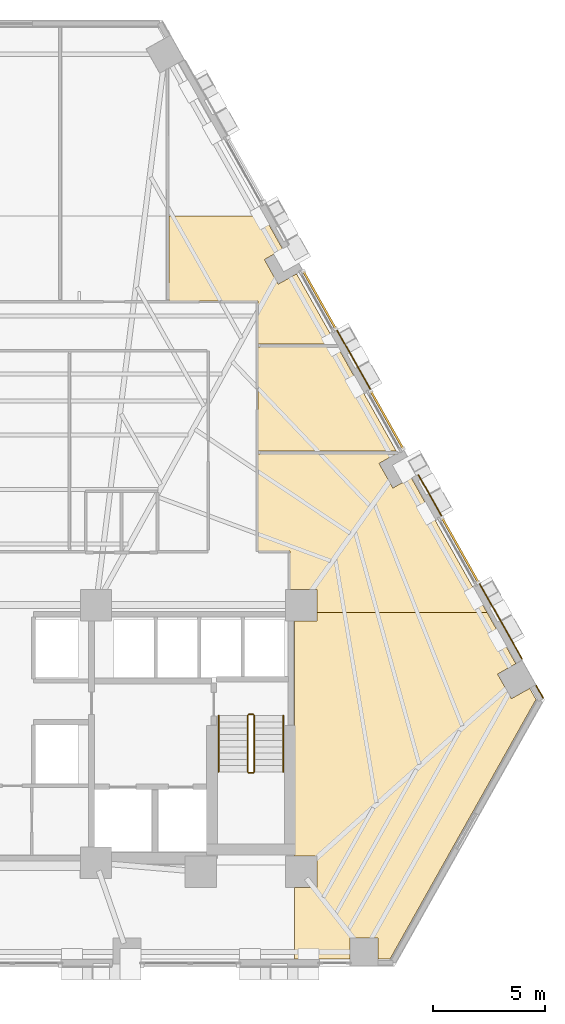
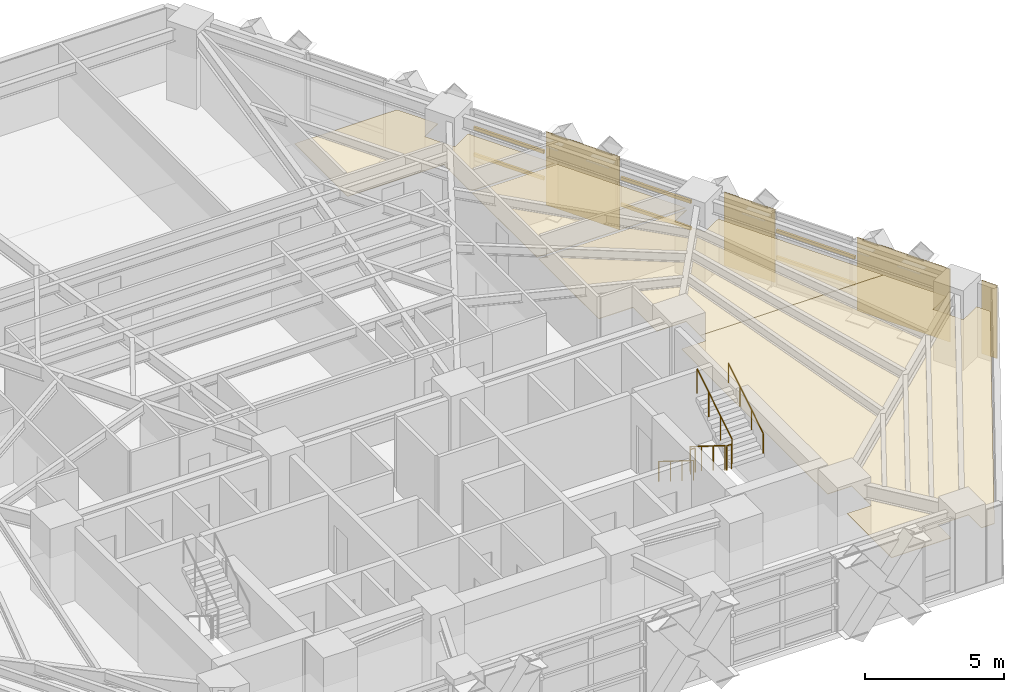
# One storey, part 12 of 13: 8 coverings, 6 railings, 6 shading devices.
"""IFC4 building model written with IfcOpenShell, lengths in metres."""

from ifc_helpers import new_model, si_unit, direction, frame, origin, origin_2d, place, context, subcontext, project, spatial, polyline, rectangle, circle, outline, extrude, material, layer, layer_set, material_profile, profile_set, type_object, element, save


model = new_model("IFC4")

# Units and contexts
model_context = context("Model", 3, precision=1e-05, world=origin(), true_north=direction((0.0, 1.0)))
body_context = subcontext(model_context, "Body", "Model", "MODEL_VIEW")
ifc_project = project(units=[si_unit("LENGTHUNIT", "METRE"), si_unit("AREAUNIT", "SQUARE_METRE"), si_unit("VOLUMEUNIT", "CUBIC_METRE"), si_unit("PLANEANGLEUNIT", "RADIAN"), si_unit("MASSUNIT", "GRAM", prefix="KILO")], contexts=[model_context])

# Site, building, storey
site_placement = place(None, origin())
site = spatial("IfcSite", under=ifc_project, at=site_placement, CompositionType="ELEMENT")
building_placement = place(site_placement, origin())
building = spatial("IfcBuilding", under=site, at=building_placement, Name="Quenlor Broadcast Tower", CompositionType="ELEMENT")
storey_placement = place(building_placement, frame((0.0, 0.0, 52.10009765625)))
storey = spatial("IfcBuildingStorey", under=building, at=storey_placement, Name="L13", CompositionType="ELEMENT", Elevation=52.10009765625)

# Coverings
ifc_material_1 = material(Name="Acoustic Mineral Fibre Board", Category="other")
ifc_layer_1 = layer(ifc_material_1, 0.02490234375)
ifc_layer_set_1 = layer_set([ifc_layer_1], Name="Acoustic Perforated Mineral Tile Ceiling 25")
covering_type_1 = type_object("IfcCoveringType", Name="Acoustic Perforated Mineral Tile Ceiling 25", PredefinedType="CEILING", material=ifc_layer_set_1)
covering_1_placement = place(storey_placement, frame((0.0, 0.0, 2.224853515625)))
element("IfcCovering", 1, at=covering_1_placement, inside=storey, type_object=covering_type_1, Name="L13 Acoustic Ceiling L13-35", PredefinedType="CEILING", context=body_context, shape_type="SweptSolid", body=[
    extrude(outline(polyline([(7.02001953125, 8.830078125), (7.02001953125, 12.64990234375), (11.28173828125, 12.64990234375), (12.122802734375, 11.154541015625), (11.301025390625, 10.6923828125), (11.921630859375, 9.5888671875), (12.74365234375, 10.05126953125), (14.51611328125, 6.89990234375), (11.014892578125, 6.89990234375), (11.014892578125, 8.830078125), (7.02001953125, 8.830078125)])), origin(), (0.0, 0.0, 1.0), 0.025146484375),
])
covering_2_placement = place(storey_placement, frame((0.0, 0.0, 2.224853515625)))
element("IfcCovering", 2, at=covering_2_placement, inside=storey, type_object=covering_type_1, Name="L13 Acoustic Ceiling L13-36", PredefinedType="CEILING", context=body_context, shape_type="SweptSolid", body=[
    extrude(outline(polyline([(14.583740234375, 6.780029296875), (17.21630859375, 2.10009765625), (11.014892578125, 2.10009765625), (11.014892578125, 6.780029296875), (14.583740234375, 6.780029296875)])), origin(), (0.0, 0.0, 1.0), 0.025146484375),
])
covering_3_placement = place(storey_placement, frame((0.0, 0.0, 2.224853515625)))
element("IfcCovering", 3, at=covering_3_placement, inside=storey, type_object=covering_type_1, Name="L13 Acoustic Ceiling L13-40-2", PredefinedType="CEILING", context=body_context, shape_type="SweptSolid", body=[
    extrude(outline(polyline([(13.657958984375, -4.092041015625), (12.43994140625, -4.092041015625), (12.43994140625, -2.3701171875), (11.014892578125, -2.3701171875), (11.014892578125, 1.97998046875), (17.20068359375, 1.97998046875), (16.44189453125, 1.552978515625), (17.0625, 0.44970703125), (17.884521484375, 0.912109375), (21.27734375, -5.1201171875), (13.657958984375, -5.1201171875), (13.657958984375, -4.092041015625)])), origin(), (0.0, 0.0, 1.0), 0.025146484375),
])
covering_4_placement = place(storey_placement, frame((0.0, 0.0, 2.224853515625)))
element("IfcCovering", 4, at=covering_4_placement, inside=storey, type_object=covering_type_1, Name="L13 Acoustic Ceiling L13-40-4", PredefinedType="CEILING", context=body_context, shape_type="SweptSolid", body=[
    extrude(outline(polyline([(13.657958984375, -17.4580078125), (13.657958984375, -16.0419921875), (12.64990234375, -16.0419921875), (12.64990234375, -5.508056640625), (13.657958984375, -5.508056640625), (13.657958984375, -5.1201171875), (21.27734375, -5.1201171875), (22.575927734375, -7.428466796875), (21.754150390625, -7.890625), (22.374755859375, -8.994140625), (23.196533203125, -8.531982421875), (23.477783203125, -9.031982421875), (16.937255859375, -20.659912109375), (16.398193359375, -20.659912109375), (16.398193359375, -19.717041015625), (15.132080078125, -19.717041015625), (15.132080078125, -20.659912109375), (12.64990234375, -20.659912109375), (12.64990234375, -17.4580078125), (13.657958984375, -17.4580078125)])), origin(), (0.0, 0.0, 1.0), 0.025146484375),
])

# Shading devices
ifc_material_2 = material(Name="Architectural Terracotta Ceramic", Category="masonry")
ifc_material_profile = material_profile(ifc_material_2, rectangle(XDim=0.090087890625, YDim=0.139892578125, at=origin_2d()))
ifc_profile_set = profile_set([ifc_material_profile], Name="Architectural Terracotta Ceramic BAG90x140")
shading_device_type = type_object("IfcShadingDeviceType", Name="Copper Terracotta Baguette Solar Screen 140", PredefinedType="USERDEFINED", material=ifc_profile_set)
for number, where, z_axis, x_axis, name in (
    (5, (19.27099609375, -0.89453125, 1.169921875), (0.490289331496, -0.871559734855, 0.0), (0.871559734855, 0.490289331496, 0.0), "L13 Terracotta Baguette Screen 1"),
    (6, (19.27099609375, -0.89453125, 2.33984375), (0.490289331496, -0.871559734855, 0.0), (0.871559734855, 0.490289331496, 0.0), "L13 Terracotta Baguette Screen 2"),
):
    element("IfcShadingDevice", number, at=place(storey_placement, frame(where, z_axis=z_axis, x_axis=x_axis)), inside=storey, type_object=shading_device_type, Name=name, ObjectType="BAGUETTE", PredefinedType="USERDEFINED", context=body_context, shape_type="SweptSolid", body=[
        extrude(rectangle(XDim=0.090087890625, YDim=0.139892578125, at=origin_2d()), origin(), (0.0, 0.0, 1.0), 3.301025390625),
    ])
for number, where, z_axis, x_axis, name in (
    (7, (13.050537109375, 10.164306640625, 1.169921875), (0.490241581092, -0.871586594762, 0.0), (0.871586594762, 0.490241581092, 0.0), "L13 Terracotta Baguette Screen 1"),
    (8, (13.050537109375, 10.164306640625, 2.33984375), (0.490241581092, -0.871586594762, 0.0), (0.871586594762, 0.490241581092, 0.0), "L13 Terracotta Baguette Screen 2"),
):
    element("IfcShadingDevice", number, at=place(storey_placement, frame(where, z_axis=z_axis, x_axis=x_axis)), inside=storey, type_object=shading_device_type, Name=name, ObjectType="BAGUETTE", PredefinedType="USERDEFINED", context=body_context, shape_type="SweptSolid", body=[
        extrude(rectangle(XDim=0.090087890625, YDim=0.139892578125, at=origin_2d()), origin(), (0.0, 0.0, 1.0), 2.9482421875),
    ])
for number, where, z_axis, x_axis, name in (
    (9, (16.07421875, 4.78857421875, 1.169921875), (0.490339873784, -0.871531300744, 0.0), (0.871531300744, 0.490339873784, 0.0), "L13 Terracotta Baguette Screen 1"),
    (10, (16.07421875, 4.78857421875, 2.33984375), (0.490339873784, -0.871531300744, 0.0), (0.871531300744, 0.490339873784, 0.0), "L13 Terracotta Baguette Screen 2"),
):
    element("IfcShadingDevice", number, at=place(storey_placement, frame(where, z_axis=z_axis, x_axis=x_axis)), inside=storey, type_object=shading_device_type, Name=name, ObjectType="BAGUETTE", PredefinedType="USERDEFINED", context=body_context, shape_type="SweptSolid", body=[
        extrude(rectangle(XDim=0.090087890625, YDim=0.139892578125, at=origin_2d()), origin(), (0.0, 0.0, 1.0), 2.947998046875),
    ])

# Coverings
ifc_material_3 = material(Name="Architectural Terracotta Ceramic", Category="masonry")
ifc_layer_2 = layer(ifc_material_3, 0.044921875)
ifc_layer_set_2 = layer_set([ifc_layer_2], Name="Fluted Terracotta Rainscreen Cladding Panel")
covering_type_2 = type_object("IfcCoveringType", Name="Fluted Terracotta Rainscreen Cladding Panel", PredefinedType="CLADDING", material=ifc_layer_set_2)
covering_5_placement = place(storey_placement, frame((0.0, 0.0, 0.02001953125)))
element("IfcCovering", 11, at=covering_5_placement, inside=storey, type_object=covering_type_2, Name="L13 Terracotta Rainscreen Cladding L13-SHD-NES1", PredefinedType="CLADDING", context=body_context, shape_type="SweptSolid", body=[
    extrude(outline(polyline([(23.464111328125, -8.412109375), (23.781982421875, -8.97705078125), (23.8212890625, -8.955078125), (23.50341796875, -8.39013671875), (23.464111328125, -8.412109375)])), origin(), (0.0, 0.0, 1.0), 3.2099609375),
])
covering_6_placement = place(storey_placement, frame((0.0, 0.0, 0.02001953125)))
element("IfcCovering", 12, at=covering_6_placement, inside=storey, type_object=covering_type_2, Name="L13 Terracotta Rainscreen Cladding L13-NEC-SP1", PredefinedType="CLADDING", context=body_context, shape_type="SweptSolid", body=[
    extrude(outline(polyline([(18.18798828125, 1.029052734375), (19.236083984375, -0.833984375), (19.275146484375, -0.81201171875), (18.227294921875, 1.051025390625), (18.18798828125, 1.029052734375)])), origin(), (0.0, 0.0, 1.0), 3.2099609375),
])
covering_7_placement = place(storey_placement, frame((0.0, 0.0, 0.02001953125)))
element("IfcCovering", 13, at=covering_7_placement, inside=storey, type_object=covering_type_2, Name="L13 Terracotta Rainscreen Cladding L13-NEC-SP2", PredefinedType="CLADDING", context=body_context, shape_type="SweptSolid", body=[
    extrude(outline(polyline([(20.9228515625, -3.8330078125), (22.83349609375, -7.2294921875), (22.872802734375, -7.20751953125), (20.962158203125, -3.81103515625), (20.9228515625, -3.8330078125)])), origin(), (0.0, 0.0, 1.0), 3.2099609375),
])
covering_8_placement = place(storey_placement, frame((0.0, 0.0, 0.02001953125)))
element("IfcCovering", 14, at=covering_8_placement, inside=storey, type_object=covering_type_2, Name="L13 Terracotta Rainscreen Cladding L13-NE-SP1", PredefinedType="CLADDING", context=body_context, shape_type="SweptSolid", body=[
    extrude(outline(polyline([(14.529296875, 7.533203125), (16.039306640625, 4.84912109375), (16.078369140625, 4.87109375), (14.568603515625, 7.555419921875), (14.529296875, 7.533203125)])), origin(), (0.0, 0.0, 1.0), 3.2099609375),
])

# Railings
ifc_material_4 = material(Name="Anodised Aluminium", Category="aluminium")
railing_type_1 = type_object("IfcRailingType", Name="Stainless Aluminium Wall Handrail 900", PredefinedType="HANDRAIL", material=ifc_material_4)
railing_1_placement = place(storey_placement, frame((9.25, -9.75, 0.1748046875)))
element("IfcRailing", 15, at=railing_1_placement, inside=storey, type_object=railing_type_1, Name="L13 ST-2 stair handrail 1", PredefinedType="HANDRAIL", context=body_context, shape_type="SweptSolid", body=[
    extrude(circle(Radius=0.02392578125, at=origin_2d()), frame((0.0, 0.0, 0.8759765625), z_axis=(0.0, -0.847970611238, 0.530043245855), x_axis=(1.0, 0.0, 0.0)), (0.0, 0.0, 1.0), 2.971923828125),
    extrude(circle(Radius=0.02099609375, at=origin_2d()), origin(), (0.0, 0.0, 1.0), 0.851806640625),
    extrude(circle(Radius=0.02099609375, at=origin_2d()), frame((0.0, -0.840087890625, 0.525146484375)), (0.0, 0.0, 1.0), 0.851806640625),
    extrude(circle(Radius=0.02099609375, at=origin_2d()), frame((0.0, -1.679931640625, 1.050048828125)), (0.0, 0.0, 1.0), 0.851806640625),
    extrude(circle(Radius=0.02099609375, at=origin_2d()), frame((0.0, -2.52001953125, 1.5751953125)), (0.0, 0.0, 1.0), 0.851806640625),
])
railing_2_placement = place(storey_placement, frame((12.14990234375, -12.27001953125, 1.9248046875)))
element("IfcRailing", 16, at=railing_2_placement, inside=storey, type_object=railing_type_1, Name="L13 ST-2 stair handrail 2", PredefinedType="HANDRAIL", context=body_context, shape_type="SweptSolid", body=[
    extrude(circle(Radius=0.02392578125, at=origin_2d()), frame((0.0, 0.0, 0.8759765625), z_axis=(0.0, 0.847970611238, 0.530043245855), x_axis=(-1.0, 0.0, 0.0)), (0.0, 0.0, 1.0), 2.971923828125),
    extrude(circle(Radius=0.02099609375, at=origin_2d()), origin(), (0.0, 0.0, 1.0), 0.851806640625),
    extrude(circle(Radius=0.02099609375, at=origin_2d()), frame((0.0, 0.840087890625, 0.525146484375)), (0.0, 0.0, 1.0), 0.851806640625),
    extrude(circle(Radius=0.02099609375, at=origin_2d()), frame((0.0, 1.679931640625, 1.050048828125)), (0.0, 0.0, 1.0), 0.851806640625),
    extrude(circle(Radius=0.02099609375, at=origin_2d()), frame((0.0, 2.52001953125, 1.5751953125)), (0.0, 0.0, 1.0), 0.851806640625),
])
ifc_material_5 = material(Name="Steel S355", Category="steel")
railing_type_2 = type_object("IfcRailingType", Name="Tubular Steel S355 Stair Guardrail 1100", PredefinedType="BALUSTRADE", material=ifc_material_5)
railing_3_placement = place(storey_placement, frame((10.550048828125, -9.75, 0.1748046875)))
element("IfcRailing", 17, at=railing_3_placement, inside=storey, type_object=railing_type_2, Name="L13 ST-2 stair guard 1", PredefinedType="BALUSTRADE", context=body_context, shape_type="SweptSolid", body=[
    extrude(circle(Radius=0.02392578125, at=origin_2d()), frame((0.0, 0.0, 1.076171875), z_axis=(0.0, -0.847970611238, 0.530043245855), x_axis=(1.0, 0.0, 0.0)), (0.0, 0.0, 1.0), 2.971923828125),
    extrude(circle(Radius=0.02099609375, at=origin_2d()), origin(), (0.0, 0.0, 1.0), 1.052001953125),
    extrude(circle(Radius=0.02099609375, at=origin_2d()), frame((0.0, -0.840087890625, 0.525146484375)), (0.0, 0.0, 1.0), 1.052001953125),
    extrude(circle(Radius=0.02099609375, at=origin_2d()), frame((0.0, -1.679931640625, 1.050048828125)), (0.0, 0.0, 1.0), 1.052001953125),
    extrude(circle(Radius=0.02099609375, at=origin_2d()), frame((0.0, -2.52001953125, 1.5751953125)), (0.0, 0.0, 1.0), 1.052001953125),
])
railing_4_placement = place(storey_placement, frame((10.60009765625, -12.320068359375, 1.75)))
element("IfcRailing", 18, at=railing_4_placement, inside=storey, type_object=railing_type_2, Name="L13 ST-2 stair guard 2", PredefinedType="BALUSTRADE", context=body_context, shape_type="SweptSolid", body=[
    extrude(circle(Radius=0.02392578125, at=origin_2d()), frame((0.0, 0.0, 1.076171875), z_axis=(1.0, 0.0, 0.0), x_axis=(0.0, 1.0, 0.0)), (0.0, 0.0, 1.0), 0.199951171875),
    extrude(circle(Radius=0.02099609375, at=origin_2d()), origin(), (0.0, 0.0, 1.0), 1.052001953125),
    extrude(circle(Radius=0.02099609375, at=origin_2d()), frame((0.199951171875, 0.0, 0.0)), (0.0, 0.0, 1.0), 1.052001953125),
])
railing_5_placement = place(storey_placement, frame((10.85009765625, -12.27001953125, 1.9248046875)))
element("IfcRailing", 19, at=railing_5_placement, inside=storey, type_object=railing_type_2, Name="L13 ST-2 stair guard 3", PredefinedType="BALUSTRADE", context=body_context, shape_type="SweptSolid", body=[
    extrude(circle(Radius=0.02392578125, at=origin_2d()), frame((0.0, 0.0, 1.076171875), z_axis=(0.0, 0.847970611238, 0.530043245855), x_axis=(-1.0, 0.0, 0.0)), (0.0, 0.0, 1.0), 2.971923828125),
    extrude(circle(Radius=0.02099609375, at=origin_2d()), origin(), (0.0, 0.0, 1.0), 1.052001953125),
    extrude(circle(Radius=0.02099609375, at=origin_2d()), frame((0.0, 0.840087890625, 0.525146484375)), (0.0, 0.0, 1.0), 1.052001953125),
    extrude(circle(Radius=0.02099609375, at=origin_2d()), frame((0.0, 1.679931640625, 1.050048828125)), (0.0, 0.0, 1.0), 1.052001953125),
    extrude(circle(Radius=0.02099609375, at=origin_2d()), frame((0.0, 2.52001953125, 1.5751953125)), (0.0, 0.0, 1.0), 1.052001953125),
])
railing_6_placement = place(storey_placement, frame((10.60009765625, -9.699951171875, 0.0)))
element("IfcRailing", 20, at=railing_6_placement, inside=storey, type_object=railing_type_2, Name="L13 ST-2 stair guard 4", PredefinedType="BALUSTRADE", context=body_context, shape_type="SweptSolid", body=[
    extrude(circle(Radius=0.02392578125, at=origin_2d()), frame((0.0, 0.0, 1.076171875), z_axis=(1.0, 0.0, 0.0), x_axis=(0.0, 1.0, 0.0)), (0.0, 0.0, 1.0), 0.199951171875),
    extrude(circle(Radius=0.02099609375, at=origin_2d()), origin(), (0.0, 0.0, 1.0), 1.052001953125),
    extrude(circle(Radius=0.02099609375, at=origin_2d()), frame((0.199951171875, 0.0, 0.0)), (0.0, 0.0, 1.0), 1.052001953125),
])

save(model, "model.ifc")
